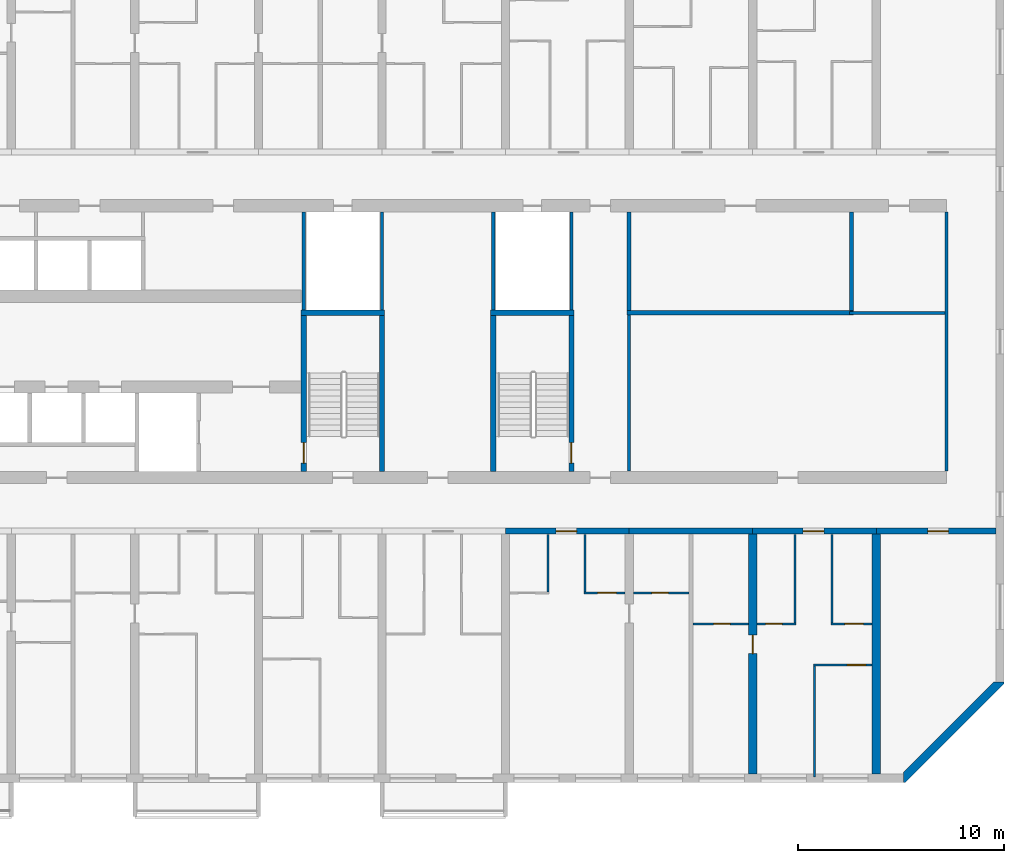
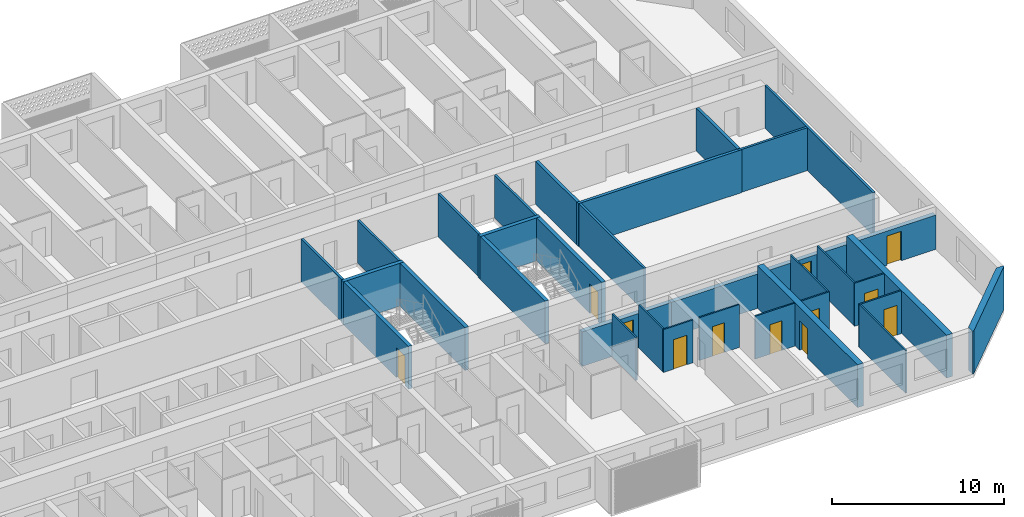
# One storey, part 15 of 40: 34 walls, 12 doors, 12 openings.
"""IFC4 building model written with IfcOpenShell, lengths in metres."""

from ifc_helpers import new_model, si_unit, direction, frame, frame_2d, origin, place, context, subcontext, project, spatial, polyline, rectangle, outline, extrude, material, layer, layer_set, type_object, element, fill, save


model = new_model("IFC4")

# Units and contexts
model_context = context("Model", 3, precision=1e-05, world=origin(), true_north=direction((0.0, 1.0)))
body_context = subcontext(model_context, "Body", "Model", "MODEL_VIEW")
ifc_project = project(units=[si_unit("LENGTHUNIT", "METRE"), si_unit("AREAUNIT", "SQUARE_METRE"), si_unit("VOLUMEUNIT", "CUBIC_METRE"), si_unit("PLANEANGLEUNIT", "RADIAN"), si_unit("MASSUNIT", "GRAM", prefix="KILO")], contexts=[model_context])

# Site, building, storey
site_placement = place(None, origin())
site = spatial("IfcSite", under=ifc_project, at=site_placement, CompositionType="ELEMENT")
building_placement = place(site_placement, origin())
building = spatial("IfcBuilding", under=site, at=building_placement, Name="Poui Terraces", CompositionType="ELEMENT")
storey_placement = place(building_placement, frame((0.0, 0.0, 33.300048828125)))
storey = spatial("IfcBuildingStorey", under=building, at=storey_placement, Name="L08", CompositionType="ELEMENT", Elevation=33.300048828125)

# Walls
ifc_material_1 = material(Name="Fire-rated plasterboard wall")
ifc_layer_1 = layer(ifc_material_1, 0.14990234375)
ifc_layer_set_1 = layer_set([ifc_layer_1], Name="Fire-rated plasterboard wall")
wall_type_1 = type_object("IfcWallType", Name="CORRIDOR WALL 150", PredefinedType="PARTITIONING", material=ifc_layer_set_1)
wall_1_placement = place(storey_placement, frame((84.0, 14.909912109375, 0.0), z_axis=(0.0, 0.0, 1.0), x_axis=(0.0, 1.0, 0.0)))
element("IfcWall", 1, at=wall_1_placement, inside=storey, type_object=wall_type_1, Name="CORRIDOR WALL 150", PredefinedType="PARTITIONING", context=body_context, shape_type="SweptSolid", body=[
    extrude(rectangle(XDim=7.590087890625, YDim=0.14990234375, at=frame_2d((3.794921875, 0.0))), origin(), (0.0, 0.0, 1.0), 3.050048828125),
])
wall_2_placement = place(storey_placement, frame((99.39990234375, 14.909912109375, 0.0), z_axis=(0.0, 0.0, 1.0), x_axis=(0.0, 1.0, 0.0)))
element("IfcWall", 2, at=wall_2_placement, inside=storey, type_object=wall_type_1, Name="CORRIDOR WALL 150", PredefinedType="PARTITIONING", context=body_context, shape_type="SweptSolid", body=[
    extrude(rectangle(XDim=12.580078125, YDim=0.14990234375, at=frame_2d((6.2900390625, 0.0))), origin(), (0.0, 0.0, 1.0), 3.050048828125),
])

# Wall, opening, door
ifc_material_2 = material(Name="Concrete 80 MPa", Category="concrete")
ifc_layer_2 = layer(ifc_material_2, 0.300048828125)
ifc_layer_set_2 = layer_set([ifc_layer_2], Name="Concrete 80 MPa")
wall_type_2 = type_object("IfcWallType", Name="CORRIDOR WALL 300 80MPa", PredefinedType="SHEAR", material=ifc_layer_set_2)
wall_3_placement = place(storey_placement, frame((78.0, 12.0, 0.0), z_axis=(0.0, 0.0, 1.0), x_axis=(1.0, 0.0, 0.0)))
wall_3 = element("IfcWall", 3, at=wall_3_placement, inside=storey, type_object=wall_type_2, Name="CORRIDOR WALL LINE B BAY 14", PredefinedType="SHEAR", context=body_context, shape_type="SweptSolid", body=[
    extrude(rectangle(XDim=6.0, YDim=0.300048828125, at=frame_2d((3.0, 0.0))), origin(), (0.0, 0.0, 1.0), 2.449951171875),
])
opening_1_placement = place(wall_3_placement, frame((2.449951171875, 0.0, 0.0)))
opening_1 = element("IfcOpeningElement", 4, at=opening_1_placement, cuts=wall_3, Name="Opening FD30S", PredefinedType="OPENING", context=body_context, shape_type="SweptSolid", body=[
    extrude(rectangle(XDim=1.0, YDim=2.10009765625, at=frame_2d((0.5, 1.050048828125))), frame((0.0, 0.16015625, 0.0), z_axis=(0.0, -1.0, 0.0), x_axis=(1.0, 0.0, 0.0)), (0.0, 0.0, 1.0), 0.320068359375),
])
ifc_material_3 = material(Name="Steel fire door", Category="steel")
door_type_1 = type_object("IfcDoorType", Name="FLAT ENTRANCE DOOR 1000 X 2100", OperationType="NOTDEFINED", PredefinedType="DOOR", material=ifc_material_3)
door_1_placement = place(opening_1_placement, frame((1.0, 0.0, 0.0), z_axis=(0.0, 0.0, 1.0), x_axis=(-1.0, 0.0, 0.0)))
door_1 = element("IfcDoor", 5, at=door_1_placement, inside=storey, type_object=door_type_1, Name="FLAT ENTRANCE DOOR 139", OperationType="SINGLE_SWING_RIGHT", OverallHeight=2.10009765625, OverallWidth=1.0, PredefinedType="DOOR", context=body_context, shape_type="SweptSolid", body=[
    extrude(rectangle(XDim=1.0, YDim=2.10009765625, at=frame_2d((0.5, 1.050048828125))), frame((0.0, 0.02490234375, 0.0), z_axis=(0.0, -1.0, 0.0), x_axis=(1.0, 0.0, 0.0)), (0.0, 0.0, 1.0), 0.050048828125),
])
fill(opening_1, door_1)

# Wall
wall_4_placement = place(storey_placement, frame((84.0, 12.0, 0.0), z_axis=(0.0, 0.0, 1.0), x_axis=(1.0, 0.0, 0.0)))
element("IfcWall", 6, at=wall_4_placement, inside=storey, type_object=wall_type_2, Name="CORRIDOR WALL LINE B BAY 15", PredefinedType="SHEAR", context=body_context, shape_type="SweptSolid", body=[
    extrude(rectangle(XDim=6.0, YDim=0.300048828125, at=frame_2d((3.0, 0.0))), origin(), (0.0, 0.0, 1.0), 2.449951171875),
])

# Wall, opening, door
wall_5_placement = place(storey_placement, frame((90.0, 12.0, 0.0), z_axis=(0.0, 0.0, 1.0), x_axis=(1.0, 0.0, 0.0)))
wall_5 = element("IfcWall", 7, at=wall_5_placement, inside=storey, type_object=wall_type_2, Name="CORRIDOR WALL LINE B BAY 16", PredefinedType="SHEAR", context=body_context, shape_type="SweptSolid", body=[
    extrude(rectangle(XDim=6.0, YDim=0.300048828125, at=frame_2d((3.0, 0.0))), origin(), (0.0, 0.0, 1.0), 2.449951171875),
])
opening_2_placement = place(wall_5_placement, frame((2.449951171875, 0.0, 0.0)))
opening_2 = element("IfcOpeningElement", 8, at=opening_2_placement, cuts=wall_5, Name="Opening FD30S", PredefinedType="OPENING", context=body_context, shape_type="SweptSolid", body=[
    extrude(rectangle(XDim=1.0, YDim=2.10009765625, at=frame_2d((0.5, 1.050048828125))), frame((0.0, 0.16015625, 0.0), z_axis=(0.0, -1.0, 0.0), x_axis=(1.0, 0.0, 0.0)), (0.0, 0.0, 1.0), 0.320068359375),
])
door_2_placement = place(opening_2_placement, frame((1.0, 0.0, 0.0), z_axis=(0.0, 0.0, 1.0), x_axis=(-1.0, 0.0, 0.0)))
door_2 = element("IfcDoor", 9, at=door_2_placement, inside=storey, type_object=door_type_1, Name="FLAT ENTRANCE DOOR 145", OperationType="SINGLE_SWING_RIGHT", OverallHeight=2.10009765625, OverallWidth=1.0, PredefinedType="DOOR", context=body_context, shape_type="SweptSolid", body=[
    extrude(rectangle(XDim=1.0, YDim=2.10009765625, at=frame_2d((0.5, 1.050048828125))), frame((0.0, 0.02490234375, 0.0), z_axis=(0.0, -1.0, 0.0), x_axis=(1.0, 0.0, 0.0)), (0.0, 0.0, 1.0), 0.050048828125),
])
fill(opening_2, door_2)

wall_6_placement = place(storey_placement, frame((96.0, 12.0, 0.0), z_axis=(0.0, 0.0, 1.0), x_axis=(1.0, 0.0, 0.0)))
wall_6 = element("IfcWall", 10, at=wall_6_placement, inside=storey, type_object=wall_type_2, Name="CORRIDOR WALL LINE B BAY 17", PredefinedType="SHEAR", context=body_context, shape_type="SweptSolid", body=[
    extrude(rectangle(XDim=5.800048828125, YDim=0.300048828125, at=frame_2d((2.89990234375, 0.0))), origin(), (0.0, 0.0, 1.0), 2.449951171875),
])
opening_3_placement = place(wall_6_placement, frame((2.5, 0.0, 0.0)))
opening_3 = element("IfcOpeningElement", 11, at=opening_3_placement, cuts=wall_6, Name="Opening D100", PredefinedType="OPENING", context=body_context, shape_type="SweptSolid", body=[
    extrude(rectangle(XDim=1.0, YDim=2.10009765625, at=frame_2d((0.5, 1.050048828125))), frame((0.0, 0.16015625, 0.0), z_axis=(0.0, -1.0, 0.0), x_axis=(1.0, 0.0, 0.0)), (0.0, 0.0, 1.0), 0.320068359375),
])
ifc_material_4 = material(Name="Solid core timber door", Category="wood")
door_type_2 = type_object("IfcDoorType", Name="ACCESSIBLE INTERNAL DOOR 1000 X 2100", OperationType="NOTDEFINED", PredefinedType="DOOR", material=ifc_material_4)
door_3_placement = place(opening_3_placement, frame((1.0, 0.0, 0.0), z_axis=(0.0, 0.0, 1.0), x_axis=(-1.0, 0.0, 0.0)))
door_3 = element("IfcDoor", 12, at=door_3_placement, inside=storey, type_object=door_type_2, Name="ACCESSIBLE INTERNAL DOOR 148", OperationType="SINGLE_SWING_RIGHT", OverallHeight=2.10009765625, OverallWidth=1.0, PredefinedType="DOOR", context=body_context, shape_type="SweptSolid", body=[
    extrude(rectangle(XDim=1.0, YDim=2.10009765625, at=frame_2d((0.5, 1.050048828125))), frame((0.0, 0.02490234375, 0.0), z_axis=(0.0, -1.0, 0.0), x_axis=(1.0, 0.0, 0.0)), (0.0, 0.0, 1.0), 0.050048828125),
])
fill(opening_3, door_3)

ifc_layer_3 = layer(ifc_material_2, 0.39990234375)
ifc_layer_set_3 = layer_set([ifc_layer_3], Name="Concrete 80 MPa")
wall_type_3 = type_object("IfcWallType", Name="CROSS WALL 400 80MPa", PredefinedType="SHEAR", material=ifc_layer_set_3)
wall_7_placement = place(storey_placement, frame((90.0, 0.199951171875, 0.0), z_axis=(0.0, 0.0, 1.0), x_axis=(0.0, 1.0, 0.0)))
wall_7 = element("IfcWall", 13, at=wall_7_placement, inside=storey, type_object=wall_type_3, Name="CROSS WALL LINE 16 SOUTH", PredefinedType="SHEAR", context=body_context, shape_type="SweptSolid", body=[
    extrude(rectangle(XDim=11.650146484375, YDim=0.39990234375, at=frame_2d((5.8251953125, 0.0))), origin(), (0.0, 0.0, 1.0), 3.050048828125),
])
opening_4_placement = place(wall_7_placement, frame((5.85009765625, 0.0, 0.0)))
opening_4 = element("IfcOpeningElement", 14, at=opening_4_placement, cuts=wall_7, Name="Opening D90", PredefinedType="OPENING", context=body_context, shape_type="SweptSolid", body=[
    extrude(rectangle(XDim=0.89990234375, YDim=2.10009765625, at=frame_2d((0.449951171875, 1.050048828125))), frame((0.0, 0.2099609375, 0.0), z_axis=(0.0, -1.0, 0.0), x_axis=(1.0, 0.0, 0.0)), (0.0, 0.0, 1.0), 0.419921875),
])
door_type_3 = type_object("IfcDoorType", Name="INTERNAL DOOR 900 X 2100", OperationType="NOTDEFINED", PredefinedType="DOOR", material=ifc_material_4)
door_4_placement = place(opening_4_placement, origin())
door_4 = element("IfcDoor", 15, at=door_4_placement, inside=storey, type_object=door_type_3, Name="INTERNAL DOOR 143", OperationType="SINGLE_SWING_RIGHT", OverallHeight=2.10009765625, OverallWidth=0.89990234375, PredefinedType="DOOR", context=body_context, shape_type="SweptSolid", body=[
    extrude(rectangle(XDim=0.89990234375, YDim=2.10009765625, at=frame_2d((0.449951171875, 1.050048828125))), frame((0.0, 0.02490234375, 0.0), z_axis=(0.0, -1.0, 0.0), x_axis=(1.0, 0.0, 0.0)), (0.0, 0.0, 1.0), 0.050048828125),
])
fill(opening_4, door_4)

# Wall
wall_8_placement = place(storey_placement, frame((96.0, 0.199951171875, 0.0), z_axis=(0.0, 0.0, 1.0), x_axis=(0.0, 1.0, 0.0)))
element("IfcWall", 16, at=wall_8_placement, inside=storey, type_object=wall_type_3, Name="CROSS WALL LINE 17 SOUTH", PredefinedType="SHEAR", context=body_context, shape_type="SweptSolid", body=[
    extrude(rectangle(XDim=11.650146484375, YDim=0.39990234375, at=frame_2d((5.8251953125, 0.0))), origin(), (0.0, 0.0, 1.0), 3.050048828125),
])

# Wall, opening, door
ifc_material_5 = material(Name="Plasterboard partition")
ifc_layer_4 = layer(ifc_material_5, 0.10009765625)
ifc_layer_set_4 = layer_set([ifc_layer_4], Name="Plasterboard partition")
wall_type_4 = type_object("IfcWallType", Name="FLAT PARTITION 100", PredefinedType="PARTITIONING", material=ifc_layer_set_4)
wall_9_placement = place(storey_placement, frame((92.949951171875, 5.5, 0.0), z_axis=(0.0, 0.0, 1.0), x_axis=(1.0, 0.0, 0.0)))
wall_9 = element("IfcWall", 17, at=wall_9_placement, inside=storey, type_object=wall_type_4, Name="FLAT PARTITION 100", PredefinedType="PARTITIONING", context=body_context, shape_type="SweptSolid", body=[
    extrude(rectangle(XDim=2.840087890625, YDim=0.10009765625, at=frame_2d((1.419921875, 0.0))), origin(), (0.0, 0.0, 1.0), 3.050048828125),
])
opening_5_placement = place(wall_9_placement, frame((1.64990234375, 0.0, 0.0)))
opening_5 = element("IfcOpeningElement", 18, at=opening_5_placement, cuts=wall_9, Name="Opening D90", PredefinedType="OPENING", context=body_context, shape_type="SweptSolid", body=[
    extrude(rectangle(XDim=0.89990234375, YDim=2.10009765625, at=frame_2d((0.449951171875, 1.050048828125))), frame((0.0, 0.06005859375, 0.0), z_axis=(0.0, -1.0, 0.0), x_axis=(1.0, 0.0, 0.0)), (0.0, 0.0, 1.0), 0.1201171875),
])
door_5_placement = place(opening_5_placement, frame((0.89990234375, 0.0, 0.0), z_axis=(0.0, 0.0, 1.0), x_axis=(-1.0, 0.0, 0.0)))
door_5 = element("IfcDoor", 19, at=door_5_placement, inside=storey, type_object=door_type_3, Name="INTERNAL DOOR 147", OperationType="SINGLE_SWING_LEFT", OverallHeight=2.10009765625, OverallWidth=0.89990234375, PredefinedType="DOOR", context=body_context, shape_type="SweptSolid", body=[
    extrude(rectangle(XDim=0.89990234375, YDim=2.10009765625, at=frame_2d((0.449951171875, 1.050048828125))), frame((0.0, 0.02490234375, 0.0), z_axis=(0.0, -1.0, 0.0), x_axis=(1.0, 0.0, 0.0)), (0.0, 0.0, 1.0), 0.050048828125),
])
fill(opening_5, door_5)

wall_10_placement = place(storey_placement, frame((87.10009765625, 7.5, 0.0), z_axis=(0.0, 0.0, 1.0), x_axis=(1.0, 0.0, 0.0)))
wall_10 = element("IfcWall", 20, at=wall_10_placement, inside=storey, type_object=wall_type_4, Name="FLAT PARTITION 100", PredefinedType="PARTITIONING", context=body_context, shape_type="SweptSolid", body=[
    extrude(rectangle(XDim=2.68994140625, YDim=0.10009765625, at=frame_2d((1.344970703125, 0.0))), origin(), (0.0, 0.0, 1.0), 3.050048828125),
])
opening_6_placement = place(wall_10_placement, frame((1.0, 0.0, 0.0)))
opening_6 = element("IfcOpeningElement", 21, at=opening_6_placement, cuts=wall_10, Name="Opening D80", PredefinedType="OPENING", context=body_context, shape_type="SweptSolid", body=[
    extrude(rectangle(XDim=0.800048828125, YDim=2.10009765625, at=frame_2d((0.39990234375, 1.050048828125))), frame((0.0, 0.06005859375, 0.0), z_axis=(0.0, -1.0, 0.0), x_axis=(1.0, 0.0, 0.0)), (0.0, 0.0, 1.0), 0.1201171875),
])
door_type_4 = type_object("IfcDoorType", Name="BATHROOM, LAUNDRY AND STORE DOOR 800 X 2100", OperationType="NOTDEFINED", PredefinedType="DOOR", material=ifc_material_4)
door_6_placement = place(opening_6_placement, origin())
door_6 = element("IfcDoor", 22, at=door_6_placement, inside=storey, type_object=door_type_4, Name="BATHROOM, LAUNDRY AND STORE DOOR 142", OperationType="SINGLE_SWING_LEFT", OverallHeight=2.10009765625, OverallWidth=0.800048828125, PredefinedType="DOOR", context=body_context, shape_type="SweptSolid", body=[
    extrude(rectangle(XDim=0.800048828125, YDim=2.10009765625, at=frame_2d((0.39990234375, 1.050048828125))), frame((0.0, 0.02490234375, 0.0), z_axis=(0.0, -1.0, 0.0), x_axis=(1.0, 0.0, 0.0)), (0.0, 0.0, 1.0), 0.050048828125),
])
fill(opening_6, door_6)

wall_11_placement = place(storey_placement, frame((90.2099609375, 7.5, 0.0), z_axis=(0.0, 0.0, 1.0), x_axis=(1.0, 0.0, 0.0)))
wall_11 = element("IfcWall", 23, at=wall_11_placement, inside=storey, type_object=wall_type_4, Name="FLAT PARTITION 100", PredefinedType="PARTITIONING", context=body_context, shape_type="SweptSolid", body=[
    extrude(rectangle(XDim=1.89013671875, YDim=0.10009765625, at=frame_2d((0.945068359375, 0.0))), origin(), (0.0, 0.0, 1.0), 3.050048828125),
])
opening_7_placement = place(wall_11_placement, frame((0.4150390625, 0.0, 0.0)))
opening_7 = element("IfcOpeningElement", 24, at=opening_7_placement, cuts=wall_11, Name="Opening D80", PredefinedType="OPENING", context=body_context, shape_type="SweptSolid", body=[
    extrude(rectangle(XDim=0.800048828125, YDim=2.10009765625, at=frame_2d((0.39990234375, 1.050048828125))), frame((0.0, 0.06005859375, 0.0), z_axis=(0.0, -1.0, 0.0), x_axis=(1.0, 0.0, 0.0)), (0.0, 0.0, 1.0), 0.1201171875),
])
door_7_placement = place(opening_7_placement, origin())
door_7 = element("IfcDoor", 25, at=door_7_placement, inside=storey, type_object=door_type_4, Name="BATHROOM, LAUNDRY AND STORE DOOR 144", OperationType="SINGLE_SWING_LEFT", OverallHeight=2.10009765625, OverallWidth=0.800048828125, PredefinedType="DOOR", context=body_context, shape_type="SweptSolid", body=[
    extrude(rectangle(XDim=0.800048828125, YDim=2.10009765625, at=frame_2d((0.39990234375, 1.050048828125))), frame((0.0, 0.02490234375, 0.0), z_axis=(0.0, -1.0, 0.0), x_axis=(1.0, 0.0, 0.0)), (0.0, 0.0, 1.0), 0.050048828125),
])
fill(opening_7, door_7)

wall_12_placement = place(storey_placement, frame((93.800048828125, 7.5, 0.0), z_axis=(0.0, 0.0, 1.0), x_axis=(1.0, 0.0, 0.0)))
wall_12 = element("IfcWall", 26, at=wall_12_placement, inside=storey, type_object=wall_type_4, Name="FLAT PARTITION 100", PredefinedType="PARTITIONING", context=body_context, shape_type="SweptSolid", body=[
    extrude(rectangle(XDim=1.989990234375, YDim=0.10009765625, at=frame_2d((0.9951171875, 0.0))), origin(), (0.0, 0.0, 1.0), 3.050048828125),
])
opening_8_placement = place(wall_12_placement, frame((0.675048828125, 0.0, 0.0)))
opening_8 = element("IfcOpeningElement", 27, at=opening_8_placement, cuts=wall_12, Name="Opening D90", PredefinedType="OPENING", context=body_context, shape_type="SweptSolid", body=[
    extrude(rectangle(XDim=0.89990234375, YDim=2.10009765625, at=frame_2d((0.449951171875, 1.050048828125))), frame((0.0, 0.06005859375, 0.0), z_axis=(0.0, -1.0, 0.0), x_axis=(1.0, 0.0, 0.0)), (0.0, 0.0, 1.0), 0.1201171875),
])
door_8_placement = place(opening_8_placement, origin())
door_8 = element("IfcDoor", 28, at=door_8_placement, inside=storey, type_object=door_type_3, Name="INTERNAL DOOR 146", OperationType="SINGLE_SWING_RIGHT", OverallHeight=2.10009765625, OverallWidth=0.89990234375, PredefinedType="DOOR", context=body_context, shape_type="SweptSolid", body=[
    extrude(rectangle(XDim=0.89990234375, YDim=2.10009765625, at=frame_2d((0.449951171875, 1.050048828125))), frame((0.0, 0.02490234375, 0.0), z_axis=(0.0, -1.0, 0.0), x_axis=(1.0, 0.0, 0.0)), (0.0, 0.0, 1.0), 0.050048828125),
])
fill(opening_8, door_8)

wall_13_placement = place(storey_placement, frame((81.800048828125, 9.0, 0.0), z_axis=(0.0, 0.0, 1.0), x_axis=(1.0, 0.0, 0.0)))
wall_13 = element("IfcWall", 29, at=wall_13_placement, inside=storey, type_object=wall_type_4, Name="FLAT PARTITION 100", PredefinedType="PARTITIONING", context=body_context, shape_type="SweptSolid", body=[
    extrude(rectangle(XDim=1.989990234375, YDim=0.10009765625, at=frame_2d((0.9951171875, 0.0))), origin(), (0.0, 0.0, 1.0), 3.050048828125),
])
opening_9_placement = place(wall_13_placement, frame((0.675048828125, 0.0, 0.0)))
opening_9 = element("IfcOpeningElement", 30, at=opening_9_placement, cuts=wall_13, Name="Opening D90", PredefinedType="OPENING", context=body_context, shape_type="SweptSolid", body=[
    extrude(rectangle(XDim=0.89990234375, YDim=2.10009765625, at=frame_2d((0.449951171875, 1.050048828125))), frame((0.0, 0.06005859375, 0.0), z_axis=(0.0, -1.0, 0.0), x_axis=(1.0, 0.0, 0.0)), (0.0, 0.0, 1.0), 0.1201171875),
])
door_9_placement = place(opening_9_placement, origin())
door_9 = element("IfcDoor", 31, at=door_9_placement, inside=storey, type_object=door_type_3, Name="INTERNAL DOOR 140", OperationType="SINGLE_SWING_RIGHT", OverallHeight=2.10009765625, OverallWidth=0.89990234375, PredefinedType="DOOR", context=body_context, shape_type="SweptSolid", body=[
    extrude(rectangle(XDim=0.89990234375, YDim=2.10009765625, at=frame_2d((0.449951171875, 1.050048828125))), frame((0.0, 0.02490234375, 0.0), z_axis=(0.0, -1.0, 0.0), x_axis=(1.0, 0.0, 0.0)), (0.0, 0.0, 1.0), 0.050048828125),
])
fill(opening_9, door_9)

wall_14_placement = place(storey_placement, frame((84.2099609375, 9.0, 0.0), z_axis=(0.0, 0.0, 1.0), x_axis=(1.0, 0.0, 0.0)))
wall_14 = element("IfcWall", 32, at=wall_14_placement, inside=storey, type_object=wall_type_4, Name="FLAT PARTITION 100", PredefinedType="PARTITIONING", context=body_context, shape_type="SweptSolid", body=[
    extrude(rectangle(XDim=2.68994140625, YDim=0.10009765625, at=frame_2d((1.344970703125, 0.0))), origin(), (0.0, 0.0, 1.0), 3.050048828125),
])
opening_10_placement = place(wall_14_placement, frame((0.889892578125, 0.0, 0.0)))
opening_10 = element("IfcOpeningElement", 33, at=opening_10_placement, cuts=wall_14, Name="Opening D80", PredefinedType="OPENING", context=body_context, shape_type="SweptSolid", body=[
    extrude(rectangle(XDim=0.800048828125, YDim=2.10009765625, at=frame_2d((0.39990234375, 1.050048828125))), frame((0.0, 0.06005859375, 0.0), z_axis=(0.0, -1.0, 0.0), x_axis=(1.0, 0.0, 0.0)), (0.0, 0.0, 1.0), 0.1201171875),
])
door_10_placement = place(opening_10_placement, origin())
door_10 = element("IfcDoor", 34, at=door_10_placement, inside=storey, type_object=door_type_4, Name="BATHROOM, LAUNDRY AND STORE DOOR 137", OperationType="SINGLE_SWING_RIGHT", OverallHeight=2.10009765625, OverallWidth=0.800048828125, PredefinedType="DOOR", context=body_context, shape_type="SweptSolid", body=[
    extrude(rectangle(XDim=0.800048828125, YDim=2.10009765625, at=frame_2d((0.39990234375, 1.050048828125))), frame((0.0, 0.02490234375, 0.0), z_axis=(0.0, -1.0, 0.0), x_axis=(1.0, 0.0, 0.0)), (0.0, 0.0, 1.0), 0.050048828125),
])
fill(opening_10, door_10)

# Walls
for number, where, z_axis, x_axis, name in (
    (35, (80.050048828125, 9.050048828125, 0.0), (0.0, 0.0, 1.0), (0.0, 1.0, 0.0), "FLAT PARTITION 100"),
    (36, (81.85009765625, 9.050048828125, 0.0), (0.0, 0.0, 1.0), (0.0, 1.0, 0.0), "FLAT PARTITION 100"),
):
    element("IfcWall", number, at=place(storey_placement, frame(where, z_axis=z_axis, x_axis=x_axis)), inside=storey, type_object=wall_type_4, Name=name, PredefinedType="PARTITIONING", context=body_context, shape_type="SweptSolid", body=[
        extrude(rectangle(XDim=2.7900390625, YDim=0.10009765625, at=frame_2d((1.39501953125, 0.0))), origin(), (0.0, 0.0, 1.0), 3.050048828125),
    ])
wall_15_placement = place(storey_placement, frame((92.050048828125, 7.550048828125, 0.0), z_axis=(0.0, 0.0, 1.0), x_axis=(0.0, 1.0, 0.0)))
element("IfcWall", 37, at=wall_15_placement, inside=storey, type_object=wall_type_4, Name="FLAT PARTITION 100", PredefinedType="PARTITIONING", context=body_context, shape_type="SweptSolid", body=[
    extrude(rectangle(XDim=4.2900390625, YDim=0.10009765625, at=frame_2d((2.14501953125, 0.0))), origin(), (0.0, 0.0, 1.0), 3.050048828125),
])
wall_16_placement = place(storey_placement, frame((93.0, 0.06005859375, 0.0), z_axis=(0.0, 0.0, 1.0), x_axis=(0.0, 1.0, 0.0)))
element("IfcWall", 38, at=wall_16_placement, inside=storey, type_object=wall_type_4, Name="FLAT PARTITION 100", PredefinedType="PARTITIONING", context=body_context, shape_type="SweptSolid", body=[
    extrude(rectangle(XDim=5.389892578125, YDim=0.10009765625, at=frame_2d((2.69482421875, 0.0))), origin(), (0.0, 0.0, 1.0), 3.050048828125),
])
wall_17_placement = place(storey_placement, frame((93.85009765625, 7.550048828125, 0.0), z_axis=(0.0, 0.0, 1.0), x_axis=(0.0, 1.0, 0.0)))
element("IfcWall", 39, at=wall_17_placement, inside=storey, type_object=wall_type_4, Name="FLAT PARTITION 100", PredefinedType="PARTITIONING", context=body_context, shape_type="SweptSolid", body=[
    extrude(rectangle(XDim=4.2900390625, YDim=0.10009765625, at=frame_2d((2.14501953125, 0.0))), origin(), (0.0, 0.0, 1.0), 3.050048828125),
])
ifc_layer_5 = layer(ifc_material_5, 0.14990234375)
ifc_layer_set_5 = layer_set([ifc_layer_5], Name="Plasterboard partition")
wall_type_5 = type_object("IfcWallType", Name="PARTITION WALL 150", PredefinedType="PARTITIONING", material=ifc_layer_set_5)
wall_18_placement = place(storey_placement, frame((94.699951171875, 22.60009765625, 0.0), z_axis=(0.0, 0.0, 1.0), x_axis=(1.0, 0.0, 0.0)))
element("IfcWall", 40, at=wall_18_placement, inside=storey, type_object=wall_type_5, Name="PARTITION WALL 150", PredefinedType="PARTITIONING", context=body_context, shape_type="SweptSolid", body=[
    extrude(rectangle(XDim=4.625, YDim=0.14990234375, at=frame_2d((2.3125, 0.0))), origin(), (0.0, 0.0, 1.0), 3.050048828125),
])
ifc_material_6 = material(Name="Fire-rated masonry wall", Category="masonry")
ifc_layer_6 = layer(ifc_material_6, 0.199951171875)
ifc_layer_set_6 = layer_set([ifc_layer_6], Name="Fire-rated masonry wall")
wall_type_6 = type_object("IfcWallType", Name="PLANT ROOM WALL 200", PredefinedType="PARTITIONING", material=ifc_layer_set_6)
wall_19_placement = place(storey_placement, frame((83.89990234375, 22.60009765625, 0.0), z_axis=(0.0, 0.0, 1.0), x_axis=(1.0, 0.0, 0.0)))
element("IfcWall", 41, at=wall_19_placement, inside=storey, type_object=wall_type_6, Name="PLANT ROOM WALL 200", PredefinedType="PARTITIONING", context=body_context, shape_type="SweptSolid", body=[
    extrude(rectangle(XDim=11.0, YDim=0.199951171875, at=frame_2d((5.5, 0.0))), origin(), (0.0, 0.0, 1.0), 3.050048828125),
])
for number, where, z_axis, x_axis, name in (
    (42, (84.0, 22.699951171875, 0.0), (0.0, 0.0, 1.0), (0.0, 1.0, 0.0), "PLANT ROOM WALL 200"),
    (43, (94.800048828125, 22.699951171875, 0.0), (0.0, 0.0, 1.0), (0.0, 1.0, 0.0), "PLANT ROOM WALL 200"),
):
    element("IfcWall", number, at=place(storey_placement, frame(where, z_axis=z_axis, x_axis=x_axis)), inside=storey, type_object=wall_type_6, Name=name, PredefinedType="PARTITIONING", context=body_context, shape_type="SweptSolid", body=[
        extrude(rectangle(XDim=4.7900390625, YDim=0.199951171875, at=frame_2d((2.39501953125, 0.0))), origin(), (0.0, 0.0, 1.0), 3.050048828125),
    ])
ifc_material_7 = material(Name="Fire-rated plasterboard riser wall")
ifc_layer_7 = layer(ifc_material_7, 0.14990234375)
ifc_layer_set_7 = layer_set([ifc_layer_7], Name="Fire-rated plasterboard riser wall")
wall_type_7 = type_object("IfcWallType", Name="RISER WALL 150", PredefinedType="PARTITIONING", material=ifc_layer_set_7)
for number, where, z_axis, x_axis, name in (
    (44, (68.199951171875, 22.735107421875, 0.0), (0.0, 0.0, 1.0), (0.0, 1.0, 0.0), "RISER WALL 150"),
    (45, (72.0, 22.735107421875, 0.0), (0.0, 0.0, 1.0), (0.0, 1.0, 0.0), "RISER WALL 150"),
    (46, (77.39990234375, 22.735107421875, 0.0), (0.0, 0.0, 1.0), (0.0, 1.0, 0.0), "RISER WALL 150"),
    (47, (81.199951171875, 22.735107421875, 0.0), (0.0, 0.0, 1.0), (0.0, 1.0, 0.0), "RISER WALL 150"),
):
    element("IfcWall", number, at=place(storey_placement, frame(where, z_axis=z_axis, x_axis=x_axis)), inside=storey, type_object=wall_type_7, Name=name, PredefinedType="PARTITIONING", context=body_context, shape_type="SweptSolid", body=[
        extrude(rectangle(XDim=4.7548828125, YDim=0.14990234375, at=frame_2d((2.37744140625, 0.0))), origin(), (0.0, 0.0, 1.0), 3.050048828125),
    ])

# Wall, opening, door
ifc_layer_8 = layer(ifc_material_2, 0.25)
ifc_layer_set_8 = layer_set([ifc_layer_8], Name="Concrete 80 MPa")
wall_type_8 = type_object("IfcWallType", Name="STAIR CORE WALL 250 80 MPA", PredefinedType="SOLIDWALL", material=ifc_layer_set_8)
wall_20_placement = place(storey_placement, frame((68.199951171875, 14.89990234375, 0.0), z_axis=(0.0, 0.0, 1.0), x_axis=(0.0, 1.0, 0.0)))
wall_20 = element("IfcWall", 48, at=wall_20_placement, inside=storey, type_object=wall_type_8, Name="STAIR CORE WALL", PredefinedType="SOLIDWALL", context=body_context, shape_type="SweptSolid", body=[
    extrude(rectangle(XDim=7.5751953125, YDim=0.25, at=frame_2d((3.78759765625, 0.0))), origin(), (0.0, 0.0, 1.0), 3.050048828125),
])
opening_11_placement = place(wall_20_placement, frame((0.39990234375, 0.0, 0.0)))
opening_11 = element("IfcOpeningElement", 49, at=opening_11_placement, cuts=wall_20, Name="Opening FD60S", PredefinedType="OPENING", context=body_context, shape_type="SweptSolid", body=[
    extrude(rectangle(XDim=1.0, YDim=2.10009765625, at=frame_2d((0.5, 1.050048828125))), frame((0.0, 0.135009765625, 0.0), z_axis=(0.0, -1.0, 0.0), x_axis=(1.0, 0.0, 0.0)), (0.0, 0.0, 1.0), 0.27001953125),
])
door_type_5 = type_object("IfcDoorType", Name="STAIR DOOR 1000 X 2100", OperationType="NOTDEFINED", PredefinedType="DOOR", material=ifc_material_3)
door_11_placement = place(opening_11_placement, frame((1.0, 0.0, 0.0), z_axis=(0.0, 0.0, 1.0), x_axis=(-1.0, 0.0, 0.0)))
door_11 = element("IfcDoor", 50, at=door_11_placement, inside=storey, type_object=door_type_5, Name="STAIR DOOR 150", OperationType="SINGLE_SWING_LEFT", OverallHeight=2.10009765625, OverallWidth=1.0, PredefinedType="DOOR", context=body_context, shape_type="SweptSolid", body=[
    extrude(rectangle(XDim=1.0, YDim=2.10009765625, at=frame_2d((0.5, 1.050048828125))), frame((0.0, 0.02490234375, 0.0), z_axis=(0.0, -1.0, 0.0), x_axis=(1.0, 0.0, 0.0)), (0.0, 0.0, 1.0), 0.050048828125),
])
fill(opening_11, door_11)

# Walls
wall_21_placement = place(storey_placement, frame((72.0, 14.89990234375, 0.0), z_axis=(0.0, 0.0, 1.0), x_axis=(0.0, 1.0, 0.0)))
element("IfcWall", 51, at=wall_21_placement, inside=storey, type_object=wall_type_8, Name="STAIR CORE WALL", PredefinedType="SOLIDWALL", context=body_context, shape_type="SweptSolid", body=[
    extrude(rectangle(XDim=7.5751953125, YDim=0.25, at=frame_2d((3.78759765625, 0.0))), origin(), (0.0, 0.0, 1.0), 3.050048828125),
])
wall_22_placement = place(storey_placement, frame((68.074951171875, 22.60009765625, 0.0), z_axis=(0.0, 0.0, 1.0), x_axis=(1.0, 0.0, 0.0)))
element("IfcWall", 52, at=wall_22_placement, inside=storey, type_object=wall_type_8, Name="STAIR CORE WALL", PredefinedType="SOLIDWALL", context=body_context, shape_type="SweptSolid", body=[
    extrude(rectangle(XDim=4.050048828125, YDim=0.25, at=frame_2d((2.02490234375, 0.0))), origin(), (0.0, 0.0, 1.0), 3.050048828125),
])
wall_23_placement = place(storey_placement, frame((77.39990234375, 14.89990234375, 0.0), z_axis=(0.0, 0.0, 1.0), x_axis=(0.0, 1.0, 0.0)))
element("IfcWall", 53, at=wall_23_placement, inside=storey, type_object=wall_type_8, Name="STAIR CORE WALL", PredefinedType="SOLIDWALL", context=body_context, shape_type="SweptSolid", body=[
    extrude(rectangle(XDim=7.5751953125, YDim=0.25, at=frame_2d((3.78759765625, 0.0))), origin(), (0.0, 0.0, 1.0), 3.050048828125),
])

# Wall, opening, door
wall_24_placement = place(storey_placement, frame((81.199951171875, 14.89990234375, 0.0), z_axis=(0.0, 0.0, 1.0), x_axis=(0.0, 1.0, 0.0)))
wall_24 = element("IfcWall", 54, at=wall_24_placement, inside=storey, type_object=wall_type_8, Name="STAIR CORE WALL", PredefinedType="SOLIDWALL", context=body_context, shape_type="SweptSolid", body=[
    extrude(rectangle(XDim=7.5751953125, YDim=0.25, at=frame_2d((3.78759765625, 0.0))), origin(), (0.0, 0.0, 1.0), 3.050048828125),
])
opening_12_placement = place(wall_24_placement, frame((0.39990234375, 0.0, 0.0)))
opening_12 = element("IfcOpeningElement", 55, at=opening_12_placement, cuts=wall_24, Name="Opening FD60S", PredefinedType="OPENING", context=body_context, shape_type="SweptSolid", body=[
    extrude(rectangle(XDim=1.0, YDim=2.10009765625, at=frame_2d((0.5, 1.050048828125))), frame((0.0, 0.135009765625, 0.0), z_axis=(0.0, -1.0, 0.0), x_axis=(1.0, 0.0, 0.0)), (0.0, 0.0, 1.0), 0.27001953125),
])
door_12_placement = place(opening_12_placement, origin())
door_12 = element("IfcDoor", 56, at=door_12_placement, inside=storey, type_object=door_type_5, Name="STAIR DOOR 164", OperationType="SINGLE_SWING_LEFT", OverallHeight=2.10009765625, OverallWidth=1.0, PredefinedType="DOOR", context=body_context, shape_type="SweptSolid", body=[
    extrude(rectangle(XDim=1.0, YDim=2.10009765625, at=frame_2d((0.5, 1.050048828125))), frame((0.0, 0.02490234375, 0.0), z_axis=(0.0, -1.0, 0.0), x_axis=(1.0, 0.0, 0.0)), (0.0, 0.0, 1.0), 0.050048828125),
])
fill(opening_12, door_12)

# Walls
wall_25_placement = place(storey_placement, frame((77.27490234375, 22.60009765625, 0.0), z_axis=(0.0, 0.0, 1.0), x_axis=(1.0, 0.0, 0.0)))
element("IfcWall", 57, at=wall_25_placement, inside=storey, type_object=wall_type_8, Name="STAIR CORE WALL", PredefinedType="SOLIDWALL", context=body_context, shape_type="SweptSolid", body=[
    extrude(rectangle(XDim=4.050048828125, YDim=0.25, at=frame_2d((2.02490234375, 0.0))), origin(), (0.0, 0.0, 1.0), 3.050048828125),
])
ifc_material_8 = material(Name="Precast concrete 40 MPa", Category="concrete")
ifc_layer_9 = layer(ifc_material_8, 0.39990234375)
ifc_layer_set_9 = layer_set([ifc_layer_9], Name="Precast concrete 40 MPa")
wall_type_9 = type_object("IfcWallType", Name="TERRACOTTA CLAD CHAMFER WALL 400", PredefinedType="STANDARD", material=ifc_layer_set_9)
wall_26_placement = place(storey_placement, origin())
element("IfcWall", 58, at=wall_26_placement, inside=storey, type_object=wall_type_9, Name="CHAMFER WALL CH01", PredefinedType="STANDARD", context=body_context, shape_type="SweptSolid", body=[
    extrude(outline(polyline([(97.317138671875, -0.199951171875), (97.39990234375, -0.199951171875), (102.199951171875, 4.60009765625), (102.199951171875, 4.682861328125), (101.71728515625, 4.682861328125), (97.317138671875, 0.28271484375), (97.317138671875, -0.199951171875)])), origin(), (0.0, 0.0, 1.0), 3.050048828125),
])

save(model, "model.ifc")
